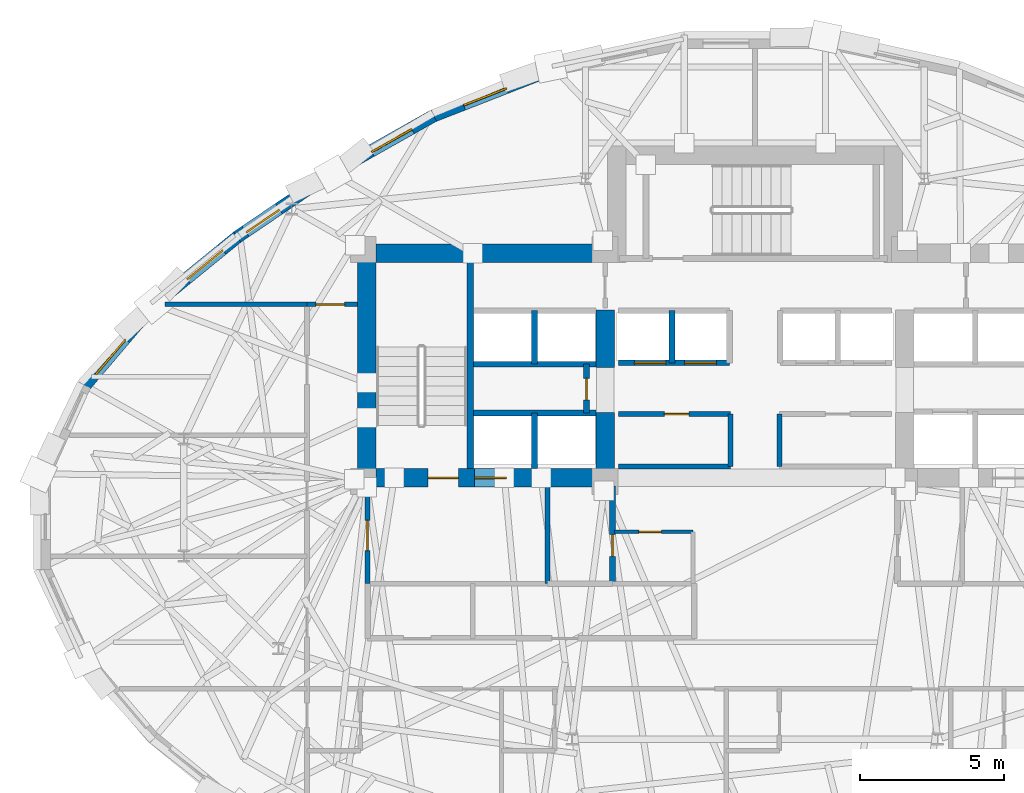
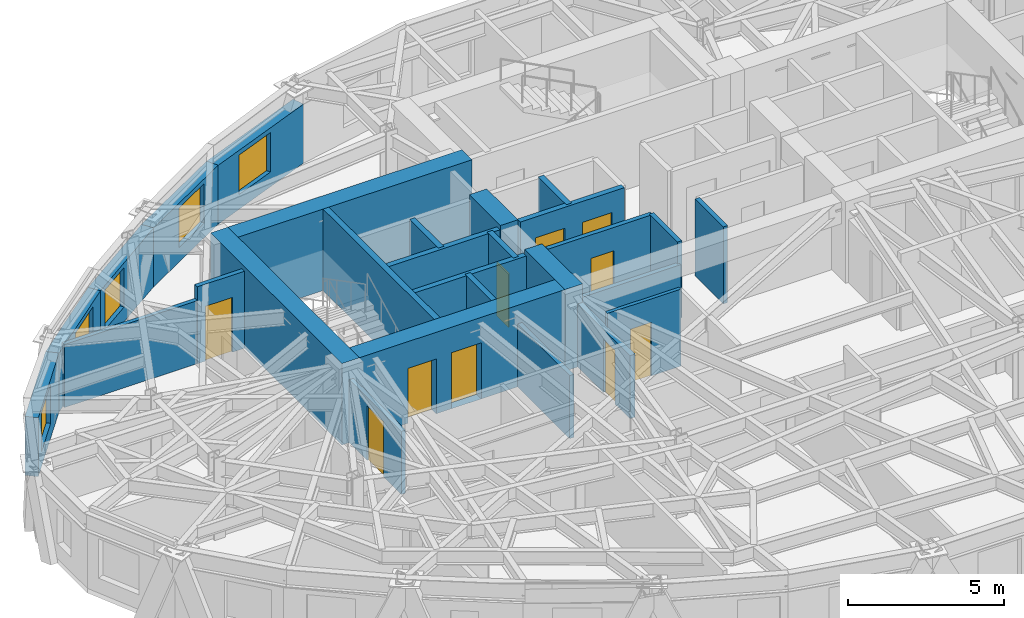
# One storey, part 7 of 14: 28 walls, 10 doors, 5 windows, 15 openings.
"""IFC4 building model written with IfcOpenShell, lengths in metres."""

from ifc_helpers import new_model, si_unit, direction, frame, frame_2d, origin, place, context, subcontext, project, spatial, rectangle, extrude, material, layer, layer_set, type_object, element, fill, save


model = new_model("IFC4")

# Units and contexts
model_context = context("Model", 3, precision=1e-05, world=origin(), true_north=direction((0.0, 1.0)))
body_context = subcontext(model_context, "Body", "Model", "MODEL_VIEW")
ifc_project = project(units=[si_unit("LENGTHUNIT", "METRE"), si_unit("AREAUNIT", "SQUARE_METRE"), si_unit("VOLUMEUNIT", "CUBIC_METRE"), si_unit("PLANEANGLEUNIT", "RADIAN"), si_unit("MASSUNIT", "GRAM", prefix="KILO")], contexts=[model_context])

# Site, building, storey
site_placement = place(None, origin())
site = spatial("IfcSite", under=ifc_project, at=site_placement, CompositionType="ELEMENT")
building_placement = place(site_placement, origin())
building = spatial("IfcBuilding", under=site, at=building_placement, Name="Keldmark Tower", CompositionType="ELEMENT")
storey_placement = place(building_placement, frame((0.0, 0.0, 182.199951171875)))
storey = spatial("IfcBuildingStorey", under=building, at=storey_placement, Name="L50", CompositionType="ELEMENT", Elevation=182.199951171875)

# Wall, opening, door
ifc_material_1 = material(Name="Acoustic Gypsum Board Interior Partition", Category="gypsum")
ifc_layer_1 = layer(ifc_material_1, 0.1298828125)
ifc_layer_set_1 = layer_set([ifc_layer_1], Name="Acoustic Gypsum Board Interior Partition")
wall_type_1 = type_object("IfcWallType", Name="Interior Partition 130 mm", PredefinedType="PARTITIONING", material=ifc_layer_set_1)
wall_1_placement = place(storey_placement, frame((-4.8798828125, -0.35009765625, 0.0), z_axis=(0.0, 0.0, 1.0), x_axis=(1.0, 0.0, 0.0)))
wall_1 = element("IfcWall", 1, at=wall_1_placement, inside=storey, type_object=wall_type_1, Name="L50 Interior Partition 130 mm CSC-W-N", PredefinedType="PARTITIONING", context=body_context, shape_type="SweptSolid", body=[
    extrude(rectangle(XDim=2.72998046875, YDim=0.1298828125, at=frame_2d((1.364990234375, 0.0))), origin(), (0.0, 0.0, 1.0), 3.02001953125),
])
opening_1_placement = place(wall_1_placement, frame((0.85009765625, 0.0, 0.0)))
opening_1 = element("IfcOpeningElement", 2, at=opening_1_placement, cuts=wall_1, Name="Opening D-CL078", PredefinedType="OPENING", context=body_context, shape_type="SweptSolid", body=[
    extrude(rectangle(XDim=0.780029296875, YDim=2.10009765625, at=frame_2d((0.39013671875, 1.050048828125))), frame((0.0, 0.074951171875, 0.0), z_axis=(0.0, -1.0, 0.0), x_axis=(1.0, 0.0, 0.0)), (0.0, 0.0, 1.0), 0.14990234375),
])
ifc_material_2 = material(Name="Flush Utility Closet Timber Door", Category="wood")
door_type_1 = type_object("IfcDoorType", Name="Closet Door 780x2100", OperationType="NOTDEFINED", PredefinedType="DOOR", material=ifc_material_2)
door_1_placement = place(opening_1_placement, origin())
door_1 = element("IfcDoor", 3, at=door_1_placement, inside=storey, type_object=door_type_1, Name="L50 Closet Door 780x2100 D-CSCW1-L50", OperationType="SINGLE_SWING_LEFT", OverallHeight=2.10009765625, OverallWidth=0.780029296875, PredefinedType="DOOR", context=body_context, shape_type="SweptSolid", body=[
    extrude(rectangle(XDim=0.780029296875, YDim=2.10009765625, at=frame_2d((0.39013671875, 1.050048828125))), frame((0.0, 0.02490234375, 0.0), z_axis=(0.0, -1.0, 0.0), x_axis=(1.0, 0.0, 0.0)), (0.0, 0.0, 1.0), 0.050048828125),
])
fill(opening_1, door_1)

ifc_material_3 = material(Name="Type X Fire-Rated Gypsum Partition Assembly", Category="gypsum")
ifc_layer_2 = layer(ifc_material_3, 0.1650390625)
ifc_layer_set_2 = layer_set([ifc_layer_2], Name="Type X Fire-Rated Gypsum Partition Assembly")
wall_type_2 = type_object("IfcWallType", Name="Rated Partition 165 mm", PredefinedType="PARTITIONING", material=ifc_layer_set_2)
wall_2_placement = place(storey_placement, frame((-13.449951171875, -2.14990234375, 0.0), z_axis=(0.0, 0.0, 1.0), x_axis=(0.0, 1.0, 0.0)))
wall_2 = element("IfcWall", 4, at=wall_2_placement, inside=storey, type_object=wall_type_2, Name="L50 Rated Partition 165 mm FSAE-W-W", PredefinedType="PARTITIONING", context=body_context, shape_type="SweptSolid", body=[
    extrude(rectangle(XDim=3.39990234375, YDim=0.1650390625, at=frame_2d((1.699951171875, 0.0))), origin(), (0.0, 0.0, 1.0), 2.47314453125),
])
opening_2_placement = place(wall_2_placement, frame((1.14990234375, 0.0, 0.0)))
opening_2 = element("IfcOpeningElement", 5, at=opening_2_placement, cuts=wall_2, Name="Opening D-FL105", PredefinedType="OPENING", context=body_context, shape_type="SweptSolid", body=[
    extrude(rectangle(XDim=1.050048828125, YDim=2.14990234375, at=frame_2d((0.52490234375, 1.074951171875))), frame((0.0, 0.092529296875, 0.0), z_axis=(0.0, -1.0, 0.0), x_axis=(1.0, 0.0, 0.0)), (0.0, 0.0, 1.0), 0.18505859375),
])
ifc_material_4 = material(Name="Fire-Rated Mineral-Core Door and Vision Lite", Category="metal")
door_type_2 = type_object("IfcDoorType", Name="Fire Lobby Door 1050x2150", OperationType="NOTDEFINED", PredefinedType="DOOR", material=ifc_material_4)
door_2_placement = place(opening_2_placement, origin())
door_2 = element("IfcDoor", 6, at=door_2_placement, inside=storey, type_object=door_type_2, Name="L50 Fire Lobby Door 1050x2150 D-FSAEW-OUT-L50", OperationType="SINGLE_SWING_LEFT", OverallHeight=2.14990234375, OverallWidth=1.050048828125, PredefinedType="DOOR", context=body_context, shape_type="SweptSolid", body=[
    extrude(rectangle(XDim=1.050048828125, YDim=2.14990234375, at=frame_2d((0.52490234375, 1.074951171875))), frame((0.0, 0.02490234375, 0.0), z_axis=(0.0, -1.0, 0.0), x_axis=(1.0, 0.0, 0.0)), (0.0, 0.0, 1.0), 0.050048828125),
])
fill(opening_2, door_2)

# Walls
wall_3_placement = place(storey_placement, frame((-7.199951171875, -2.14990234375, 0.0), z_axis=(0.0, 0.0, 1.0), x_axis=(0.0, 1.0, 0.0)))
element("IfcWall", 7, at=wall_3_placement, inside=storey, type_object=wall_type_2, Name="L50 Rated Partition 165 mm FSAE-W-E", PredefinedType="PARTITIONING", context=body_context, shape_type="SweptSolid", body=[
    extrude(rectangle(XDim=3.39990234375, YDim=0.1650390625, at=frame_2d((1.699951171875, 0.0))), origin(), (0.0, 0.0, 1.0), 2.47314453125),
])
wall_4_placement = place(storey_placement, frame((-4.739990234375, 1.919921875, 0.0), z_axis=(0.0, 0.0, 1.0), x_axis=(1.0, 0.0, 0.0)))
element("IfcWall", 8, at=wall_4_placement, inside=storey, type_object=wall_type_2, Name="L50 Rated Partition 165 mm REC-LW-S", PredefinedType="PARTITIONING", context=body_context, shape_type="SweptSolid", body=[
    extrude(rectangle(XDim=3.889892578125, YDim=0.1650390625, at=frame_2d((1.94482421875, 0.0))), origin(), (0.0, 0.0, 1.0), 2.16015625),
])

# Wall, opening, door
wall_5_placement = place(storey_placement, frame((-4.739990234375, 3.739990234375, 0.0), z_axis=(0.0, 0.0, 1.0), x_axis=(1.0, 0.0, 0.0)))
wall_5 = element("IfcWall", 9, at=wall_5_placement, inside=storey, type_object=wall_type_2, Name="L50 Rated Partition 165 mm REC-LW-N", PredefinedType="PARTITIONING", context=body_context, shape_type="SweptSolid", body=[
    extrude(rectangle(XDim=3.889892578125, YDim=0.1650390625, at=frame_2d((1.94482421875, 0.0))), origin(), (0.0, 0.0, 1.0), 3.02001953125),
])
opening_3_placement = place(wall_5_placement, frame((1.60009765625, 0.0, 0.0)))
opening_3 = element("IfcOpeningElement", 10, at=opening_3_placement, cuts=wall_5, Name="Opening D-SV085", PredefinedType="OPENING", context=body_context, shape_type="SweptSolid", body=[
    extrude(rectangle(XDim=0.85009765625, YDim=2.10009765625, at=frame_2d((0.425048828125, 1.050048828125))), frame((0.0, 0.092529296875, 0.0), z_axis=(0.0, -1.0, 0.0), x_axis=(1.0, 0.0, 0.0)), (0.0, 0.0, 1.0), 0.18505859375),
])
ifc_material_5 = material(Name="Painted Hollow Metal Door Assembly", Category="metal")
door_type_3 = type_object("IfcDoorType", Name="Service Door 850x2100", OperationType="NOTDEFINED", PredefinedType="DOOR", material=ifc_material_5)
door_3_placement = place(opening_3_placement, origin())
door_3 = element("IfcDoor", 11, at=door_3_placement, inside=storey, type_object=door_type_3, Name="L50 Service Door 850x2100 D-RECLW1-L50", OperationType="SINGLE_SWING_LEFT", OverallHeight=2.10009765625, OverallWidth=0.85009765625, PredefinedType="DOOR", context=body_context, shape_type="SweptSolid", body=[
    extrude(rectangle(XDim=0.85009765625, YDim=2.10009765625, at=frame_2d((0.425048828125, 1.050048828125))), frame((0.0, 0.02490234375, 0.0), z_axis=(0.0, -1.0, 0.0), x_axis=(1.0, 0.0, 0.0)), (0.0, 0.0, 1.0), 0.050048828125),
])
fill(opening_3, door_3)

# Walls
for number, where, z_axis, x_axis, name in (
    (12, (-0.85009765625, 1.919921875, 0.0), (0.0, 0.0, 1.0), (0.0, 1.0, 0.0), "L50 Rated Partition 165 mm REC-LW-E"),
    (13, (0.85009765625, 1.919921875, 0.0), (0.0, 0.0, 1.0), (0.0, 1.0, 0.0), "L50 Rated Partition 165 mm REC-LE-W"),
):
    element("IfcWall", number, at=place(storey_placement, frame(where, z_axis=z_axis, x_axis=x_axis)), inside=storey, type_object=wall_type_2, Name=name, PredefinedType="PARTITIONING", context=body_context, shape_type="SweptSolid", body=[
        extrude(rectangle(XDim=1.820068359375, YDim=0.1650390625, at=frame_2d((0.91015625, 0.0))), origin(), (0.0, 0.0, 1.0), 3.02001953125),
    ])

# Wall, opening, door
wall_6_placement = place(storey_placement, frame((-15.550048828125, 7.550048828125, 0.0), z_axis=(0.0, 0.0, 1.0), x_axis=(1.0, 0.0, 0.0)))
wall_6 = element("IfcWall", 14, at=wall_6_placement, inside=storey, type_object=wall_type_2, Name="L50 Rated Partition 165 mm HCOR-WN", PredefinedType="PARTITIONING", context=body_context, shape_type="SweptSolid", body=[
    extrude(rectangle(XDim=1.75, YDim=0.1650390625, at=frame_2d((0.875, 0.0))), origin(), (0.0, 0.0, 1.0), 3.02001953125),
])
opening_4_placement = place(wall_6_placement, frame((0.300048828125, 0.0, 0.0)))
opening_4 = element("IfcOpeningElement", 15, at=opening_4_placement, cuts=wall_6, Name="Opening D-FD100", PredefinedType="OPENING", context=body_context, shape_type="SweptSolid", body=[
    extrude(rectangle(XDim=1.0, YDim=2.14990234375, at=frame_2d((0.5, 1.074951171875))), frame((0.0, 0.092529296875, 0.0), z_axis=(0.0, -1.0, 0.0), x_axis=(1.0, 0.0, 0.0)), (0.0, 0.0, 1.0), 0.18505859375),
])
ifc_material_6 = material(Name="Hollow Metal Fire-Rated Corridor Door", Category="metal")
door_type_4 = type_object("IfcDoorType", Name="Fire Door 1000x2150", OperationType="NOTDEFINED", PredefinedType="DOOR", material=ifc_material_6)
door_4_placement = place(opening_4_placement, origin())
door_4 = element("IfcDoor", 16, at=door_4_placement, inside=storey, type_object=door_type_4, Name="L50 Fire Door 1000x2150 D-HNNW-L50", OperationType="SINGLE_SWING_LEFT", OverallHeight=2.14990234375, OverallWidth=1.0, PredefinedType="DOOR", context=body_context, shape_type="SweptSolid", body=[
    extrude(rectangle(XDim=1.0, YDim=2.14990234375, at=frame_2d((0.5, 1.074951171875))), frame((0.0, 0.02490234375, 0.0), z_axis=(0.0, -1.0, 0.0), x_axis=(1.0, 0.0, 0.0)), (0.0, 0.0, 1.0), 0.050048828125),
])
fill(opening_4, door_4)

ifc_material_7 = material(Name="Fire-Resistant Type X Gypsum Shaftliner Coreboard", Category="gypsum")
ifc_layer_3 = layer(ifc_material_7, 0.199951171875)
ifc_layer_set_3 = layer_set([ifc_layer_3], Name="Fire-Resistant Type X Gypsum Shaftliner Coreboard")
wall_type_3 = type_object("IfcWallType", Name="Shaft Wall 200 mm", PredefinedType="SOLIDWALL", material=ifc_layer_set_3)
wall_7_placement = place(storey_placement, frame((-4.949951171875, -2.14990234375, 0.0), z_axis=(0.0, 0.0, 1.0), x_axis=(0.0, 1.0, 0.0)))
wall_7 = element("IfcWall", 17, at=wall_7_placement, inside=storey, type_object=wall_type_3, Name="L50 Shaft Wall 200 mm RIS-SW-E", PredefinedType="SOLIDWALL", context=body_context, shape_type="SweptSolid", body=[
    extrude(rectangle(XDim=3.39990234375, YDim=0.199951171875, at=frame_2d((1.699951171875, 0.0))), origin(), (0.0, 0.0, 1.0), 2.47314453125),
])
opening_5_placement = place(wall_7_placement, frame((0.949951171875, 0.0, 0.0)))
opening_5 = element("IfcOpeningElement", 18, at=opening_5_placement, cuts=wall_7, Name="Opening D-RS075", PredefinedType="OPENING", context=body_context, shape_type="SweptSolid", body=[
    extrude(rectangle(XDim=0.75, YDim=2.10009765625, at=frame_2d((0.375, 1.050048828125))), frame((0.0, 0.10986328125, 0.0), z_axis=(0.0, -1.0, 0.0), x_axis=(1.0, 0.0, 0.0)), (0.0, 0.0, 1.0), 0.219970703125),
])
ifc_material_8 = material(Name="Galvanized Fire-Rated Access Leaf", Category="metal")
door_type_5 = type_object("IfcDoorType", Name="Riser Access Door 750x2100", OperationType="NOTDEFINED", PredefinedType="DOOR", material=ifc_material_8)
door_5_placement = place(opening_5_placement, origin())
door_5 = element("IfcDoor", 19, at=door_5_placement, inside=storey, type_object=door_type_5, Name="L50 Riser Access Door 750x2100 D-RISSW-L50", OperationType="SINGLE_SWING_RIGHT", OverallHeight=2.10009765625, OverallWidth=0.75, PredefinedType="DOOR", context=body_context, shape_type="SweptSolid", body=[
    extrude(rectangle(XDim=0.75, YDim=2.10009765625, at=frame_2d((0.375, 1.050048828125))), frame((0.0, 0.02490234375, 0.0), z_axis=(0.0, -1.0, 0.0), x_axis=(1.0, 0.0, 0.0)), (0.0, 0.0, 1.0), 0.050048828125),
])
fill(opening_5, door_5)

# Walls
wall_8_placement = place(storey_placement, frame((-9.780029296875, 3.780029296875, 0.0), z_axis=(0.0, 0.0, 1.0), x_axis=(1.0, 0.0, 0.0)))
element("IfcWall", 20, at=wall_8_placement, inside=storey, type_object=wall_type_3, Name="L50 Shaft Wall 200 mm HW-W-S", PredefinedType="SOLIDWALL", context=body_context, shape_type="SweptSolid", body=[
    extrude(rectangle(XDim=4.255126953125, YDim=0.199951171875, at=frame_2d((2.12744140625, 0.0))), origin(), (0.0, 0.0, 1.0), 3.02001953125),
])
wall_9_placement = place(storey_placement, frame((-7.64990234375, 1.85009765625, 0.0), z_axis=(0.0, 0.0, 1.0), x_axis=(0.0, 1.0, 0.0)))
element("IfcWall", 21, at=wall_9_placement, inside=storey, type_object=wall_type_3, Name="L50 Shaft Wall 200 mm HW-W-M", PredefinedType="SOLIDWALL", context=body_context, shape_type="SweptSolid", body=[
    extrude(rectangle(XDim=1.929931640625, YDim=0.199951171875, at=frame_2d((0.96484375, 0.0))), origin(), (0.0, 0.0, 1.0), 3.02001953125),
])
wall_10_placement = place(storey_placement, frame((-9.780029296875, 5.469970703125, 0.0), z_axis=(0.0, 0.0, 1.0), x_axis=(1.0, 0.0, 0.0)))
element("IfcWall", 22, at=wall_10_placement, inside=storey, type_object=wall_type_3, Name="L50 Shaft Wall 200 mm HW-W-N", PredefinedType="SOLIDWALL", context=body_context, shape_type="SweptSolid", body=[
    extrude(rectangle(XDim=4.255126953125, YDim=0.199951171875, at=frame_2d((2.12744140625, 0.0))), origin(), (0.0, 0.0, 1.0), 3.02001953125),
])
wall_11_placement = place(storey_placement, frame((-7.64990234375, 5.469970703125, 0.0), z_axis=(0.0, 0.0, 1.0), x_axis=(0.0, 1.0, 0.0)))
element("IfcWall", 23, at=wall_11_placement, inside=storey, type_object=wall_type_3, Name="L50 Shaft Wall 200 mm HW-W-NM", PredefinedType="SOLIDWALL", context=body_context, shape_type="SweptSolid", body=[
    extrude(rectangle(XDim=1.860107421875, YDim=0.199951171875, at=frame_2d((0.93017578125, 0.0))), origin(), (0.0, 0.0, 1.0), 3.02001953125),
])

# Wall, opening, door
wall_12_placement = place(storey_placement, frame((-5.85009765625, 3.780029296875, 0.0), z_axis=(0.0, 0.0, 1.0), x_axis=(0.0, 1.0, 0.0)))
wall_12 = element("IfcWall", 24, at=wall_12_placement, inside=storey, type_object=wall_type_3, Name="L50 Shaft Wall 200 mm HW-W-CLOSE", PredefinedType="SOLIDWALL", context=body_context, shape_type="SweptSolid", body=[
    extrude(rectangle(XDim=1.68994140625, YDim=0.199951171875, at=frame_2d((0.844970703125, 0.0))), origin(), (0.0, 0.0, 1.0), 3.02001953125),
])
opening_6_placement = place(wall_12_placement, frame((0.449951171875, 0.0, 0.0)))
opening_6 = element("IfcOpeningElement", 25, at=opening_6_placement, cuts=wall_12, Name="Opening D-RS075", PredefinedType="OPENING", context=body_context, shape_type="SweptSolid", body=[
    extrude(rectangle(XDim=0.75, YDim=2.10009765625, at=frame_2d((0.375, 1.050048828125))), frame((0.0, 0.10986328125, 0.0), z_axis=(0.0, -1.0, 0.0), x_axis=(1.0, 0.0, 0.0)), (0.0, 0.0, 1.0), 0.219970703125),
])
door_6_placement = place(opening_6_placement, origin())
door_6 = element("IfcDoor", 26, at=door_6_placement, inside=storey, type_object=door_type_5, Name="L50 Riser Access Door 750x2100 D-RISHW-L50", OperationType="SINGLE_SWING_RIGHT", OverallHeight=2.10009765625, OverallWidth=0.75, PredefinedType="DOOR", context=body_context, shape_type="SweptSolid", body=[
    extrude(rectangle(XDim=0.75, YDim=2.10009765625, at=frame_2d((0.375, 1.050048828125))), frame((0.0, 0.02490234375, 0.0), z_axis=(0.0, -1.0, 0.0), x_axis=(1.0, 0.0, 0.0)), (0.0, 0.0, 1.0), 0.050048828125),
])
fill(opening_6, door_6)

# Wall, openings, doors
wall_13_placement = place(storey_placement, frame((-4.739990234375, 5.52001953125, 0.0), z_axis=(0.0, 0.0, 1.0), x_axis=(1.0, 0.0, 0.0)))
wall_13 = element("IfcWall", 27, at=wall_13_placement, inside=storey, type_object=wall_type_3, Name="L50 Shaft Wall 200 mm MID-S-W", PredefinedType="SOLIDWALL", context=body_context, shape_type="SweptSolid", body=[
    extrude(rectangle(XDim=3.860107421875, YDim=0.199951171875, at=frame_2d((1.93017578125, 0.0))), origin(), (0.0, 0.0, 1.0), 3.02001953125),
])
opening_7_placement = place(wall_13_placement, frame((0.550048828125, 0.0, 0.0)))
opening_7 = element("IfcOpeningElement", 28, at=opening_7_placement, cuts=wall_13, Name="Opening LD-110", PredefinedType="OPENING", context=body_context, shape_type="SweptSolid", body=[
    extrude(rectangle(XDim=1.10009765625, YDim=2.199951171875, at=frame_2d((0.550048828125, 1.10009765625))), frame((0.0, 0.10986328125, 0.0), z_axis=(0.0, -1.0, 0.0), x_axis=(1.0, 0.0, 0.0)), (0.0, 0.0, 1.0), 0.219970703125),
])
opening_8_placement = place(wall_13_placement, frame((2.300048828125, 0.0, 0.0)))
opening_8 = element("IfcOpeningElement", 29, at=opening_8_placement, cuts=wall_13, Name="Opening LD-110", PredefinedType="OPENING", context=body_context, shape_type="SweptSolid", body=[
    extrude(rectangle(XDim=1.10009765625, YDim=2.199951171875, at=frame_2d((0.550048828125, 1.10009765625))), frame((0.0, 0.10986328125, 0.0), z_axis=(0.0, -1.0, 0.0), x_axis=(1.0, 0.0, 0.0)), (0.0, 0.0, 1.0), 0.219970703125),
])
ifc_material_9 = material(Name="Brushed Bronze Hoistway Sliding Leaf", Category="metal")
door_type_6 = type_object("IfcDoorType", Name="Lift Landing Sliding Door 1100x2200", OperationType="SLIDING_TO_LEFT", PredefinedType="DOOR", material=ifc_material_9)
door_7_placement = place(opening_7_placement, origin())
door_7 = element("IfcDoor", 30, at=door_7_placement, inside=storey, type_object=door_type_6, Name="L50 Lift Landing Sliding Door 1100x2200 LD-EL-M1-L50", OperationType="SLIDING_TO_LEFT", OverallHeight=2.199951171875, OverallWidth=1.10009765625, PredefinedType="DOOR", context=body_context, shape_type="SweptSolid", body=[
    extrude(rectangle(XDim=1.10009765625, YDim=2.199951171875, at=frame_2d((0.550048828125, 1.10009765625))), frame((0.0, 0.02490234375, 0.0), z_axis=(0.0, -1.0, 0.0), x_axis=(1.0, 0.0, 0.0)), (0.0, 0.0, 1.0), 0.050048828125),
])
fill(opening_7, door_7)
door_8_placement = place(opening_8_placement, origin())
door_8 = element("IfcDoor", 31, at=door_8_placement, inside=storey, type_object=door_type_6, Name="L50 Lift Landing Sliding Door 1100x2200 LD-EL-M2-L50", OperationType="SLIDING_TO_LEFT", OverallHeight=2.199951171875, OverallWidth=1.10009765625, PredefinedType="DOOR", context=body_context, shape_type="SweptSolid", body=[
    extrude(rectangle(XDim=1.10009765625, YDim=2.199951171875, at=frame_2d((0.550048828125, 1.10009765625))), frame((0.0, 0.02490234375, 0.0), z_axis=(0.0, -1.0, 0.0), x_axis=(1.0, 0.0, 0.0)), (0.0, 0.0, 1.0), 0.050048828125),
])
fill(opening_8, door_8)

# Walls
wall_14_placement = place(storey_placement, frame((-2.8798828125, 5.52001953125, 0.0), z_axis=(0.0, 0.0, 1.0), x_axis=(0.0, 1.0, 0.0)))
element("IfcWall", 32, at=wall_14_placement, inside=storey, type_object=wall_type_3, Name="L50 Shaft Wall 200 mm MID-M-W", PredefinedType="SOLIDWALL", context=body_context, shape_type="SweptSolid", body=[
    extrude(rectangle(XDim=1.81005859375, YDim=0.199951171875, at=frame_2d((0.905029296875, 0.0))), origin(), (0.0, 0.0, 1.0), 3.02001953125),
])
ifc_material_10 = material(Name="Concrete C50/60", Category="concrete")
ifc_layer_4 = layer(ifc_material_10, 0.219970703125)
ifc_layer_set_4 = layer_set([ifc_layer_4], Name="Concrete C50/60")
wall_type_4 = type_object("IfcWallType", Name="Stair Core Shear Wall 220 mm", PredefinedType="SHEAR", material=ifc_layer_set_4)
wall_15_placement = place(storey_placement, frame((-9.889892578125, 1.85009765625, 0.0), z_axis=(0.0, 0.0, 1.0), x_axis=(0.0, 1.0, 0.0)))
element("IfcWall", 33, at=wall_15_placement, inside=storey, type_object=wall_type_4, Name="L50 West Stair Core Shear Wall", PredefinedType="SHEAR", context=body_context, shape_type="SweptSolid", body=[
    extrude(rectangle(XDim=7.14990234375, YDim=0.219970703125, at=frame_2d((3.574951171875, 0.0))), origin(), (0.0, 0.0, 1.0), 3.199951171875),
])

# Wall, opening, window
ifc_material_11 = material(Name="Ironspot Manganese Brick and Kasota Buff Limestone Spandrel Assembly", Category="masonry")
ifc_layer_5 = layer(ifc_material_11, 0.43994140625)
ifc_layer_set_5 = layer_set([ifc_layer_5], Name="Ironspot Manganese Brick and Kasota Buff Limestone Spandrel Assembly")
wall_type_5 = type_object("IfcWallType", Name="Tower Brick Pier and Spandrel Wall 440 mm", PredefinedType="STANDARD", material=ifc_layer_set_5)
wall_16_placement = place(storey_placement, frame((-11.1884765625, 14.0869140625, 0.0), z_axis=(0.0, 0.0, 1.0), x_axis=(0.93133333838, 0.364167836062, 0.0)))
wall_16 = element("IfcWall", 34, at=wall_16_placement, inside=storey, type_object=wall_type_5, Name="L50 Exterior Brick and Spandrel Wall 10", PredefinedType="STANDARD", context=body_context, shape_type="SweptSolid", body=[
    extrude(rectangle(XDim=4.45361328125, YDim=0.43994140625, at=frame_2d((2.226806640625, 0.0))), origin(), (0.0, 0.0, 1.0), 2.31494140625),
])
opening_9_placement = place(wall_16_placement, frame((1.13232421875, 0.0, 0.580078125)))
opening_9 = element("IfcOpeningElement", 35, at=opening_9_placement, cuts=wall_16, Name="Opening W-04", PredefinedType="OPENING", context=body_context, shape_type="SweptSolid", body=[
    extrude(rectangle(XDim=1.60009765625, YDim=1.550048828125, at=frame_2d((0.800048828125, 0.77490234375))), frame((0.0, 0.22998046875, 0.0), z_axis=(0.0, -1.0, 0.0), x_axis=(1.0, 0.0, 0.0)), (0.0, 0.0, 1.0), 0.4599609375),
])
ifc_material_12 = material(Name="Thermally Broken Anodized Aluminum and Triple Low-E Argon Glazing", Category="aluminium")
window_type_1 = type_object("IfcWindowType", Name="Hotel Deep-Set Operable Window 1600x1550", PartitioningType="DOUBLE_PANEL_HORIZONTAL", PredefinedType="WINDOW", material=ifc_material_12)
window_1_placement = place(opening_9_placement, origin())
window_1 = element("IfcWindow", 36, at=window_1_placement, inside=storey, type_object=window_type_1, Name="L50 Deep-Set Window 10", OverallHeight=1.550048828125, OverallWidth=1.60009765625, PartitioningType="SINGLE_PANEL", PredefinedType="WINDOW", context=body_context, shape_type="SweptSolid", body=[
    extrude(rectangle(XDim=1.60009765625, YDim=1.550048828125, at=frame_2d((0.800048828125, 0.77490234375))), frame((0.0, -0.010009765625, 0.0), z_axis=(0.0, -1.0, 0.0), x_axis=(1.0, 0.0, 0.0)), (0.0, 0.0, 1.0), 0.06005859375),
])
fill(opening_9, window_1)

wall_17_placement = place(storey_placement, frame((-14.745849609375, 12.078369140625, 0.0), z_axis=(0.0, 0.0, 1.0), x_axis=(0.871039635509, 0.491212737388, 0.0)))
wall_17 = element("IfcWall", 37, at=wall_17_placement, inside=storey, type_object=wall_type_5, Name="L50 Exterior Brick and Spandrel Wall 11", PredefinedType="STANDARD", context=body_context, shape_type="SweptSolid", body=[
    extrude(rectangle(XDim=4.1162109375, YDim=0.43994140625, at=frame_2d((2.05810546875, 0.0))), origin(), (0.0, 0.0, 1.0), 2.31494140625),
])
opening_10_placement = place(wall_17_placement, frame((1.627197265625, 0.0, 0.580078125)))
opening_10 = element("IfcOpeningElement", 38, at=opening_10_placement, cuts=wall_17, Name="Opening W-04", PredefinedType="OPENING", context=body_context, shape_type="SweptSolid", body=[
    extrude(rectangle(XDim=1.60009765625, YDim=1.550048828125, at=frame_2d((0.800048828125, 0.77490234375))), frame((0.0, 0.22998046875, 0.0), z_axis=(0.0, -1.0, 0.0), x_axis=(1.0, 0.0, 0.0)), (0.0, 0.0, 1.0), 0.4599609375),
])
window_2_placement = place(opening_10_placement, origin())
window_2 = element("IfcWindow", 39, at=window_2_placement, inside=storey, type_object=window_type_1, Name="L50 Deep-Set Window 11", OverallHeight=1.550048828125, OverallWidth=1.60009765625, PartitioningType="SINGLE_PANEL", PredefinedType="WINDOW", context=body_context, shape_type="SweptSolid", body=[
    extrude(rectangle(XDim=1.60009765625, YDim=1.550048828125, at=frame_2d((0.800048828125, 0.77490234375))), frame((0.0, -0.010009765625, 0.0), z_axis=(0.0, -1.0, 0.0), x_axis=(1.0, 0.0, 0.0)), (0.0, 0.0, 1.0), 0.06005859375),
])
fill(opening_10, window_2)

wall_18_placement = place(storey_placement, frame((-17.97607421875, 9.8876953125, 0.0), z_axis=(0.0, 0.0, 1.0), x_axis=(0.827733986143, 0.561120707321, 0.0)))
wall_18 = element("IfcWall", 40, at=wall_18_placement, inside=storey, type_object=wall_type_5, Name="L50 Exterior Brick and Spandrel Wall 12", PredefinedType="STANDARD", context=body_context, shape_type="SweptSolid", body=[
    extrude(rectangle(XDim=3.921142578125, YDim=0.43994140625, at=frame_2d((1.96044921875, 0.0))), origin(), (0.0, 0.0, 1.0), 2.31494140625),
])
opening_11_placement = place(wall_18_placement, frame((0.347900390625, 0.0, 0.580078125)))
opening_11 = element("IfcOpeningElement", 41, at=opening_11_placement, cuts=wall_18, Name="Opening W-08", PredefinedType="OPENING", context=body_context, shape_type="SweptSolid", body=[
    extrude(rectangle(XDim=1.39990234375, YDim=1.550048828125, at=frame_2d((0.699951171875, 0.77490234375))), frame((0.0, 0.22998046875, 0.0), z_axis=(0.0, -1.0, 0.0), x_axis=(1.0, 0.0, 0.0)), (0.0, 0.0, 1.0), 0.4599609375),
])
ifc_material_13 = material(Name="Thermally Broken Anodized Aluminum and Triple Low-E Argon Glazing", Category="aluminium")
window_type_2 = type_object("IfcWindowType", Name="Residential Corner Punched Window 1400x1550", PartitioningType="SINGLE_PANEL", PredefinedType="WINDOW", material=ifc_material_13)
window_3_placement = place(opening_11_placement, origin())
window_3 = element("IfcWindow", 42, at=window_3_placement, inside=storey, type_object=window_type_2, Name="L50 Deep-Set Window 12", OverallHeight=1.550048828125, OverallWidth=1.39990234375, PartitioningType="SINGLE_PANEL", PredefinedType="WINDOW", context=body_context, shape_type="SweptSolid", body=[
    extrude(rectangle(XDim=1.39990234375, YDim=1.550048828125, at=frame_2d((0.699951171875, 0.77490234375))), frame((0.0, -0.010009765625, 0.0), z_axis=(0.0, -1.0, 0.0), x_axis=(1.0, 0.0, 0.0)), (0.0, 0.0, 1.0), 0.06005859375),
])
fill(opening_11, window_3)

wall_19_placement = place(storey_placement, frame((-20.943115234375, 7.46875, 0.0), z_axis=(0.0, 0.0, 1.0), x_axis=(0.77522232587, 0.631688487684, 0.0)))
wall_19 = element("IfcWall", 43, at=wall_19_placement, inside=storey, type_object=wall_type_5, Name="L50 Exterior Brick and Spandrel Wall 13", PredefinedType="STANDARD", context=body_context, shape_type="SweptSolid", body=[
    extrude(rectangle(XDim=3.847412109375, YDim=0.43994140625, at=frame_2d((1.923828125, 0.0))), origin(), (0.0, 0.0, 1.0), 2.31494140625),
])
opening_12_placement = place(wall_19_placement, frame((1.548095703125, 0.0, 0.580078125)))
opening_12 = element("IfcOpeningElement", 44, at=opening_12_placement, cuts=wall_19, Name="Opening W-04", PredefinedType="OPENING", context=body_context, shape_type="SweptSolid", body=[
    extrude(rectangle(XDim=1.60009765625, YDim=1.550048828125, at=frame_2d((0.800048828125, 0.77490234375))), frame((0.0, 0.22998046875, 0.0), z_axis=(0.0, -1.0, 0.0), x_axis=(1.0, 0.0, 0.0)), (0.0, 0.0, 1.0), 0.4599609375),
])
window_4_placement = place(opening_12_placement, origin())
window_4 = element("IfcWindow", 45, at=window_4_placement, inside=storey, type_object=window_type_1, Name="L50 Deep-Set Window 13", OverallHeight=1.550048828125, OverallWidth=1.60009765625, PartitioningType="SINGLE_PANEL", PredefinedType="WINDOW", context=body_context, shape_type="SweptSolid", body=[
    extrude(rectangle(XDim=1.60009765625, YDim=1.550048828125, at=frame_2d((0.800048828125, 0.77490234375))), frame((0.0, -0.010009765625, 0.0), z_axis=(0.0, -1.0, 0.0), x_axis=(1.0, 0.0, 0.0)), (0.0, 0.0, 1.0), 0.06005859375),
])
fill(opening_12, window_4)

wall_20_placement = place(storey_placement, frame((-23.306640625, 4.684814453125, 0.0), z_axis=(0.0, 0.0, 1.0), x_axis=(0.648014991522, 0.761627580096, 0.0)))
wall_20 = element("IfcWall", 46, at=wall_20_placement, inside=storey, type_object=wall_type_5, Name="L50 Exterior Brick and Spandrel Wall 14", PredefinedType="STANDARD", context=body_context, shape_type="SweptSolid", body=[
    extrude(rectangle(XDim=3.69189453125, YDim=0.43994140625, at=frame_2d((1.845947265625, 0.0))), origin(), (0.0, 0.0, 1.0), 2.31494140625),
])
opening_13_placement = place(wall_20_placement, frame((0.59814453125, 0.0, 0.580078125)))
opening_13 = element("IfcOpeningElement", 47, at=opening_13_placement, cuts=wall_20, Name="Opening W-04", PredefinedType="OPENING", context=body_context, shape_type="SweptSolid", body=[
    extrude(rectangle(XDim=1.60009765625, YDim=1.550048828125, at=frame_2d((0.800048828125, 0.77490234375))), frame((0.0, 0.22998046875, 0.0), z_axis=(0.0, -1.0, 0.0), x_axis=(1.0, 0.0, 0.0)), (0.0, 0.0, 1.0), 0.4599609375),
])
window_5_placement = place(opening_13_placement, origin())
window_5 = element("IfcWindow", 48, at=window_5_placement, inside=storey, type_object=window_type_1, Name="L50 Deep-Set Window 14", OverallHeight=1.550048828125, OverallWidth=1.60009765625, PartitioningType="SINGLE_PANEL", PredefinedType="WINDOW", context=body_context, shape_type="SweptSolid", body=[
    extrude(rectangle(XDim=1.60009765625, YDim=1.550048828125, at=frame_2d((0.800048828125, 0.77490234375))), frame((0.0, -0.010009765625, 0.0), z_axis=(0.0, -1.0, 0.0), x_axis=(1.0, 0.0, 0.0)), (0.0, 0.0, 1.0), 0.06005859375),
])
fill(opening_13, window_5)

# Walls
ifc_material_14 = material(Name="Concrete C50/60", Category="concrete")
ifc_layer_6 = layer(ifc_material_14, 0.64990234375)
ifc_layer_set_6 = layer_set([ifc_layer_6], Name="Concrete C50/60")
wall_type_6 = type_object("IfcWallType", Name="Upper-Mid Core Shear Wall 650 mm", PredefinedType="SHEAR", material=ifc_layer_set_6)
wall_21_placement = place(storey_placement, frame((-13.47509765625, 1.199951171875, 0.0), z_axis=(0.0, 0.0, 1.0), x_axis=(0.0, 1.0, 0.0)))
element("IfcWall", 49, at=wall_21_placement, inside=storey, type_object=wall_type_6, Name="L50 West Core Outer Shear Wall", PredefinedType="SHEAR", context=body_context, shape_type="SweptSolid", body=[
    extrude(rectangle(XDim=8.449951171875, YDim=0.64990234375, at=frame_2d((4.22509765625, 0.0))), origin(), (0.0, 0.0, 1.0), 3.199951171875),
])
wall_22_placement = place(storey_placement, frame((-13.800048828125, 9.324951171875, 0.0), z_axis=(0.0, 0.0, 1.0), x_axis=(1.0, 0.0, 0.0)))
element("IfcWall", 50, at=wall_22_placement, inside=storey, type_object=wall_type_6, Name="L50 West Core North Shear Wall", PredefinedType="SHEAR", context=body_context, shape_type="SweptSolid", body=[
    extrude(rectangle(XDim=9.324951171875, YDim=0.64990234375, at=frame_2d((4.66259765625, 0.0))), origin(), (0.0, 0.0, 1.0), 3.199951171875),
])

# Wall, openings, doors
wall_23_placement = place(storey_placement, frame((-4.875, 1.52490234375, 0.0), z_axis=(0.0, 0.0, 1.0), x_axis=(-1.0, 0.0, 0.0)))
wall_23 = element("IfcWall", 51, at=wall_23_placement, inside=storey, type_object=wall_type_6, Name="L50 West Core South Shear Wall", PredefinedType="SHEAR", context=body_context, shape_type="SweptSolid", body=[
    extrude(rectangle(XDim=8.925048828125, YDim=0.64990234375, at=frame_2d((4.46240234375, 0.0))), origin(), (0.0, 0.0, 1.0), 3.199951171875),
])
opening_14_placement = place(wall_23_placement, frame((5.425048828125, 0.0, 0.0)))
opening_14 = element("IfcOpeningElement", 52, at=opening_14_placement, cuts=wall_23, Name="Opening D-ST105", PredefinedType="OPENING", context=body_context, shape_type="SweptSolid", body=[
    extrude(rectangle(XDim=1.050048828125, YDim=2.14990234375, at=frame_2d((0.52490234375, 1.074951171875))), frame((0.0, 0.3349609375, 0.0), z_axis=(0.0, -1.0, 0.0), x_axis=(1.0, 0.0, 0.0)), (0.0, 0.0, 1.0), 0.669921875),
])
opening_15_placement = place(wall_23_placement, frame((3.7548828125, 0.0, 0.0)))
opening_15 = element("IfcOpeningElement", 53, at=opening_15_placement, cuts=wall_23, Name="Opening LD-110", PredefinedType="OPENING", context=body_context, shape_type="SweptSolid", body=[
    extrude(rectangle(XDim=1.10009765625, YDim=2.199951171875, at=frame_2d((0.550048828125, 1.10009765625))), frame((0.0, 0.3349609375, 0.0), z_axis=(0.0, -1.0, 0.0), x_axis=(1.0, 0.0, 0.0)), (0.0, 0.0, 1.0), 0.669921875),
])
door_9_placement = place(opening_15_placement, origin())
door_9 = element("IfcDoor", 54, at=door_9_placement, inside=storey, type_object=door_type_6, Name="L50 Lift Landing Sliding Door 1100x2200 LD-EL-FS1-L50", OperationType="SLIDING_TO_LEFT", OverallHeight=2.199951171875, OverallWidth=1.10009765625, PredefinedType="DOOR", context=body_context, shape_type="SweptSolid", body=[
    extrude(rectangle(XDim=1.10009765625, YDim=2.199951171875, at=frame_2d((0.550048828125, 1.10009765625))), frame((0.0, 0.02490234375, 0.0), z_axis=(0.0, -1.0, 0.0), x_axis=(1.0, 0.0, 0.0)), (0.0, 0.0, 1.0), 0.050048828125),
])
fill(opening_15, door_9)
ifc_material_15 = material(Name="Hollow Metal Fire-Rated Door Assembly", Category="metal")
door_type_7 = type_object("IfcDoorType", Name="Stair Fire Door 1050x2150", OperationType="NOTDEFINED", PredefinedType="DOOR", material=ifc_material_15)
door_10_placement = place(opening_14_placement, origin())
door_10 = element("IfcDoor", 55, at=door_10_placement, inside=storey, type_object=door_type_7, Name="L50 Stair Fire Door 1050x2150 D-ST1-L50", OperationType="SINGLE_SWING_RIGHT", OverallHeight=2.14990234375, OverallWidth=1.050048828125, PredefinedType="DOOR", context=body_context, shape_type="SweptSolid", body=[
    extrude(rectangle(XDim=1.050048828125, YDim=2.14990234375, at=frame_2d((0.52490234375, 1.074951171875))), frame((0.0, 0.02490234375, 0.0), z_axis=(0.0, -1.0, 0.0), x_axis=(1.0, 0.0, 0.0)), (0.0, 0.0, 1.0), 0.050048828125),
])
fill(opening_14, door_10)

# Walls
wall_24_placement = place(storey_placement, frame((-5.199951171875, 1.199951171875, 0.0), z_axis=(0.0, 0.0, 1.0), x_axis=(0.0, 1.0, 0.0)))
element("IfcWall", 56, at=wall_24_placement, inside=storey, type_object=wall_type_6, Name="L50 West Core Inner Shear Pier South", PredefinedType="SHEAR", context=body_context, shape_type="SweptSolid", body=[
    extrude(rectangle(XDim=2.60009765625, YDim=0.64990234375, at=frame_2d((1.300048828125, 0.0))), origin(), (0.0, 0.0, 1.0), 3.199951171875),
])
wall_25_placement = place(storey_placement, frame((-5.199951171875, 5.35009765625, 0.0), z_axis=(0.0, 0.0, 1.0), x_axis=(0.0, 1.0, 0.0)))
element("IfcWall", 57, at=wall_25_placement, inside=storey, type_object=wall_type_6, Name="L50 West Core Inner Shear Pier North", PredefinedType="SHEAR", context=body_context, shape_type="SweptSolid", body=[
    extrude(rectangle(XDim=2.0, YDim=0.64990234375, at=frame_2d((1.0, 0.0))), origin(), (0.0, 0.0, 1.0), 3.199951171875),
])
ifc_material_16 = material(Name="Moisture-Resistant Gypsum Plumbing Partition", Category="gypsum")
ifc_layer_7 = layer(ifc_material_16, 0.14990234375)
ifc_layer_set_7 = layer_set([ifc_layer_7], Name="Moisture-Resistant Gypsum Plumbing Partition")
wall_type_7 = type_object("IfcWallType", Name="Wet Wall 150 mm", PredefinedType="PLUMBINGWALL", material=ifc_layer_set_7)
wall_26_placement = place(storey_placement, frame((-20.482421875, 7.550048828125, 0.0), z_axis=(0.0, 0.0, 1.0), x_axis=(1.0, 0.0, 0.0)))
element("IfcWall", 58, at=wall_26_placement, inside=storey, type_object=wall_type_7, Name="L50 Wet Wall 150 mm HW-CAP-N", PredefinedType="PLUMBINGWALL", context=body_context, shape_type="SweptSolid", body=[
    extrude(rectangle(XDim=4.932373046875, YDim=0.14990234375, at=frame_2d((2.46630859375, 0.0))), origin(), (0.0, 0.0, 1.0), 2.47314453125),
])

save(model, "model.ifc")
